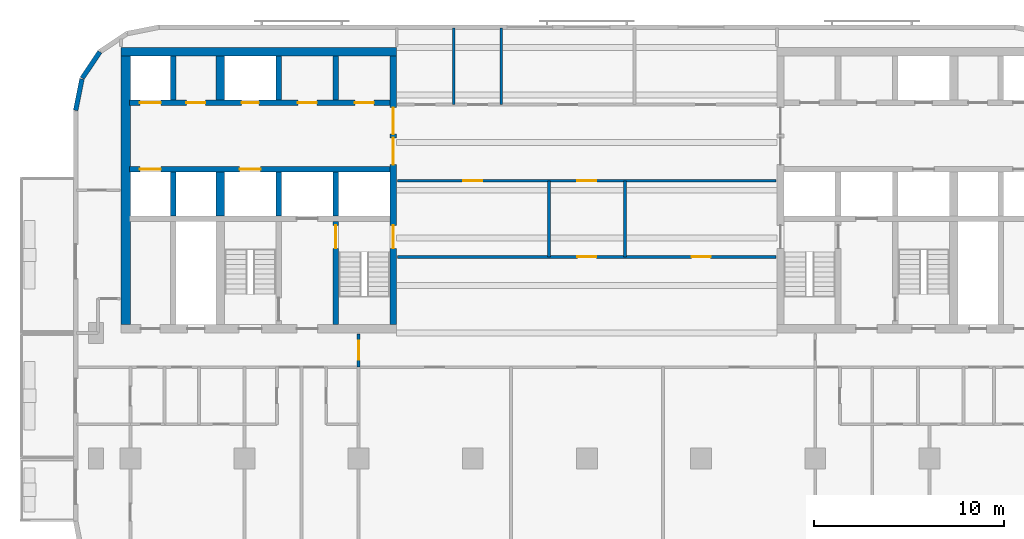
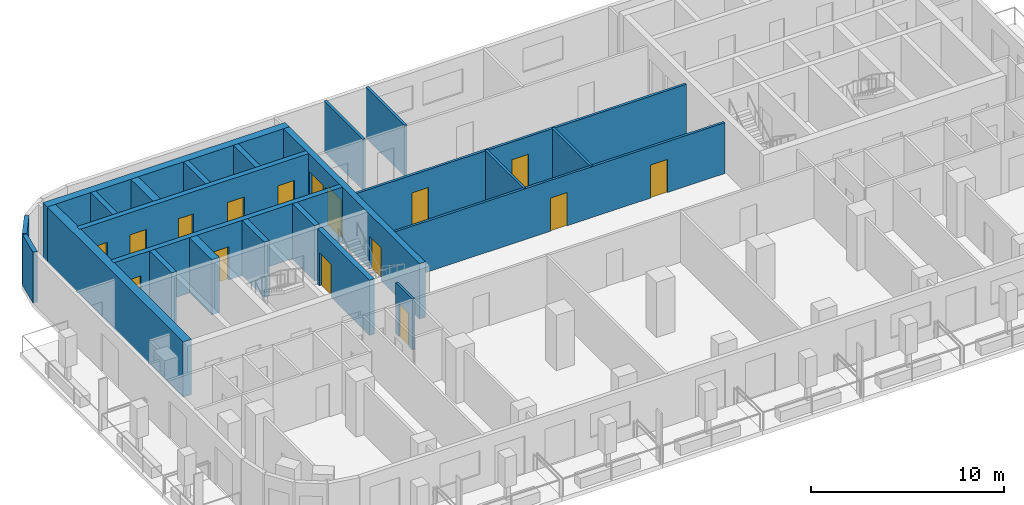
# One storey, part 4 of 11: 23 walls, 16 doors, 16 openings.
"""IFC4 building model written with IfcOpenShell, lengths in metres."""

from ifc_helpers import new_model, si_unit, direction, frame, frame_2d, origin, place, context, subcontext, project, spatial, rectangle, extrude, material, layer, layer_set, type_object, element, fill, save


model = new_model("IFC4")

# Units and contexts
model_context = context("Model", 3, precision=1e-05, world=origin(), true_north=direction((0.0, 1.0)))
body_context = subcontext(model_context, "Body", "Model", "MODEL_VIEW")
ifc_project = project(units=[si_unit("LENGTHUNIT", "METRE"), si_unit("AREAUNIT", "SQUARE_METRE"), si_unit("VOLUMEUNIT", "CUBIC_METRE"), si_unit("PLANEANGLEUNIT", "RADIAN"), si_unit("MASSUNIT", "GRAM", prefix="KILO")], contexts=[model_context])

# Site, building, storey
site_placement = place(None, origin())
site = spatial("IfcSite", under=ifc_project, at=site_placement, CompositionType="ELEMENT")
building_placement = place(site_placement, origin())
building = spatial("IfcBuilding", under=site, at=building_placement, Name="Torana Hotel and Residences", CompositionType="ELEMENT")
storey_placement = place(building_placement, frame((0.0, 0.0, 187.10009765625)))
storey = spatial("IfcBuildingStorey", under=building, at=storey_placement, Name="L48", CompositionType="ELEMENT", Elevation=187.10009765625)

# Wall, openings, doors
ifc_material_1 = material(Name="Concrete C70/85", Category="concrete")
ifc_layer_1 = layer(ifc_material_1, 0.300048828125)
ifc_layer_set_1 = layer_set([ifc_layer_1], Name="CORE WALL 300 C70/85")
wall_type_1 = type_object("IfcWallType", Name="CORE WALL 300 C70/85", PredefinedType="SHEAR", material=ifc_layer_set_1)
wall_1_placement = place(storey_placement, frame((-24.050048828125, -2.89990234375, 0.0), z_axis=(0.0, 0.0, 1.0), x_axis=(1.0, 0.0, 0.0)))
wall_1 = element("IfcWall", 1, at=wall_1_placement, inside=storey, type_object=wall_type_1, Name="Core wall W row-N", PredefinedType="SHEAR", context=body_context, shape_type="SweptSolid", body=[
    extrude(rectangle(XDim=13.699951171875, YDim=0.300048828125, at=frame_2d((6.85009765625, 0.0))), origin(), (0.0, 0.0, 1.0), 3.5),
])
opening_1_placement = place(wall_1_placement, frame((0.550048828125, 0.0, 0.0)))
opening_1 = element("IfcOpeningElement", 2, at=opening_1_placement, cuts=wall_1, Name="Opening LD", PredefinedType="OPENING", context=body_context, shape_type="SweptSolid", body=[
    extrude(rectangle(XDim=1.10009765625, YDim=2.10009765625, at=frame_2d((0.550048828125, 1.050048828125))), frame((0.0, 0.159912109375, 0.0), z_axis=(0.0, -1.0, 0.0), x_axis=(1.0, 0.0, 0.0)), (0.0, 0.0, 1.0), 0.320068359375),
])
opening_2_placement = place(wall_1_placement, frame((5.89990234375, 0.0, 0.0)))
opening_2 = element("IfcOpeningElement", 3, at=opening_2_placement, cuts=wall_1, Name="Opening L48-08", PredefinedType="OPENING", context=body_context, shape_type="SweptSolid", body=[
    extrude(rectangle(XDim=0.89990234375, YDim=2.10009765625, at=frame_2d((0.449951171875, 1.050048828125))), frame((0.0, 0.159912109375, 0.0), z_axis=(0.0, -1.0, 0.0), x_axis=(1.0, 0.0, 0.0)), (0.0, 0.0, 1.0), 0.320068359375),
])
opening_3_placement = place(wall_1_placement, frame((11.85009765625, 0.0, 0.0)))
opening_3 = element("IfcOpeningElement", 4, at=opening_3_placement, cuts=wall_1, Name="Opening L48-09", PredefinedType="OPENING", context=body_context, shape_type="SweptSolid", body=[
    extrude(rectangle(XDim=1.0, YDim=2.10009765625, at=frame_2d((0.5, 1.050048828125))), frame((0.0, 0.159912109375, 0.0), z_axis=(0.0, -1.0, 0.0), x_axis=(1.0, 0.0, 0.0)), (0.0, 0.0, 1.0), 0.320068359375),
])
opening_4_placement = place(wall_1_placement, frame((8.85009765625, 0.0, 0.0)))
opening_4 = element("IfcOpeningElement", 5, at=opening_4_placement, cuts=wall_1, Name="Opening L48-10", PredefinedType="OPENING", context=body_context, shape_type="SweptSolid", body=[
    extrude(rectangle(XDim=1.0, YDim=2.10009765625, at=frame_2d((0.5, 1.050048828125))), frame((0.0, 0.159912109375, 0.0), z_axis=(0.0, -1.0, 0.0), x_axis=(1.0, 0.0, 0.0)), (0.0, 0.0, 1.0), 0.320068359375),
])
opening_5_placement = place(wall_1_placement, frame((3.0, 0.0, 0.0)))
opening_5 = element("IfcOpeningElement", 6, at=opening_5_placement, cuts=wall_1, Name="Opening L48-11", PredefinedType="OPENING", context=body_context, shape_type="SweptSolid", body=[
    extrude(rectangle(XDim=1.0, YDim=2.10009765625, at=frame_2d((0.5, 1.050048828125))), frame((0.0, 0.159912109375, 0.0), z_axis=(0.0, -1.0, 0.0), x_axis=(1.0, 0.0, 0.0)), (0.0, 0.0, 1.0), 0.320068359375),
])
ifc_material_2 = material(Name="Steel S235", Category="steel")
door_type_1 = type_object("IfcDoorType", Name="CORE ROOM FIRE DOOR D14 1000x2100", OperationType="SINGLE_SWING_LEFT", PredefinedType="DOOR", material=ifc_material_2)
door_1_placement = place(opening_3_placement, origin())
door_1 = element("IfcDoor", 7, at=door_1_placement, inside=storey, type_object=door_type_1, Name="N0 door L48", OperationType="SINGLE_SWING_RIGHT", OverallHeight=2.10009765625, OverallWidth=1.0, PredefinedType="DOOR", context=body_context, shape_type="SweptSolid", body=[
    extrude(rectangle(XDim=1.0, YDim=2.10009765625, at=frame_2d((0.5, 1.050048828125))), frame((0.0, 0.02490234375, 0.0), z_axis=(0.0, -1.0, 0.0), x_axis=(1.0, 0.0, 0.0)), (0.0, 0.0, 1.0), 0.050048828125),
])
fill(opening_3, door_1)
door_2_placement = place(opening_4_placement, origin())
door_2 = element("IfcDoor", 8, at=door_2_placement, inside=storey, type_object=door_type_1, Name="N1 door L48", OperationType="SINGLE_SWING_RIGHT", OverallHeight=2.10009765625, OverallWidth=1.0, PredefinedType="DOOR", context=body_context, shape_type="SweptSolid", body=[
    extrude(rectangle(XDim=1.0, YDim=2.10009765625, at=frame_2d((0.5, 1.050048828125))), frame((0.0, 0.02490234375, 0.0), z_axis=(0.0, -1.0, 0.0), x_axis=(1.0, 0.0, 0.0)), (0.0, 0.0, 1.0), 0.050048828125),
])
fill(opening_4, door_2)
door_3_placement = place(opening_5_placement, origin())
door_3 = element("IfcDoor", 9, at=door_3_placement, inside=storey, type_object=door_type_1, Name="Freed-S1 door L48", OperationType="SINGLE_SWING_RIGHT", OverallHeight=2.10009765625, OverallWidth=1.0, PredefinedType="DOOR", context=body_context, shape_type="SweptSolid", body=[
    extrude(rectangle(XDim=1.0, YDim=2.10009765625, at=frame_2d((0.5, 1.050048828125))), frame((0.0, 0.02490234375, 0.0), z_axis=(0.0, -1.0, 0.0), x_axis=(1.0, 0.0, 0.0)), (0.0, 0.0, 1.0), 0.050048828125),
])
fill(opening_5, door_3)
ifc_material_3 = material(Name="Stainless steel 316", Category="steel")
door_type_2 = type_object("IfcDoorType", Name="LIFT LANDING DOOR LD 1100x2100", OperationType="DOUBLE_DOOR_SLIDING", PredefinedType="USERDEFINED", material=ifc_material_3)
door_4_placement = place(opening_1_placement, origin())
door_4 = element("IfcDoor", 10, at=door_4_placement, inside=storey, type_object=door_type_2, Name="Lift landing door M1 L48", ObjectType="LIFT LANDING DOOR", OperationType="DOUBLE_DOOR_SLIDING", OverallHeight=2.10009765625, OverallWidth=1.10009765625, PredefinedType="USERDEFINED", context=body_context, shape_type="SweptSolid", body=[
    extrude(rectangle(XDim=1.10009765625, YDim=2.10009765625, at=frame_2d((0.550048828125, 1.050048828125))), frame((0.0, 0.02490234375, 0.0), z_axis=(0.0, -1.0, 0.0), x_axis=(1.0, 0.0, 0.0)), (0.0, 0.0, 1.0), 0.050048828125),
])
fill(opening_1, door_4)
ifc_material_4 = material(Name="Steel S235", Category="steel")
door_type_3 = type_object("IfcDoorType", Name="RISER ACCESS DOOR D5 900x2100", OperationType="SINGLE_SWING_LEFT", PredefinedType="DOOR", material=ifc_material_4)
door_5_placement = place(opening_2_placement, origin())
door_5 = element("IfcDoor", 11, at=door_5_placement, inside=storey, type_object=door_type_3, Name="N2 door L48", OperationType="SINGLE_SWING_RIGHT", OverallHeight=2.10009765625, OverallWidth=0.89990234375, PredefinedType="DOOR", context=body_context, shape_type="SweptSolid", body=[
    extrude(rectangle(XDim=0.89990234375, YDim=2.10009765625, at=frame_2d((0.449951171875, 1.050048828125))), frame((0.0, 0.02490234375, 0.0), z_axis=(0.0, -1.0, 0.0), x_axis=(1.0, 0.0, 0.0)), (0.0, 0.0, 1.0), 0.050048828125),
])
fill(opening_2, door_5)

wall_2_placement = place(storey_placement, frame((-24.050048828125, -6.39990234375, 0.0), z_axis=(0.0, 0.0, 1.0), x_axis=(1.0, 0.0, 0.0)))
wall_2 = element("IfcWall", 12, at=wall_2_placement, inside=storey, type_object=wall_type_1, Name="Core wall W row-S", PredefinedType="SHEAR", context=body_context, shape_type="SweptSolid", body=[
    extrude(rectangle(XDim=13.699951171875, YDim=0.300048828125, at=frame_2d((6.85009765625, 0.0))), origin(), (0.0, 0.0, 1.0), 3.5),
])
opening_6_placement = place(wall_2_placement, frame((0.550048828125, 0.0, 0.0)))
opening_6 = element("IfcOpeningElement", 13, at=opening_6_placement, cuts=wall_2, Name="Opening LD", PredefinedType="OPENING", context=body_context, shape_type="SweptSolid", body=[
    extrude(rectangle(XDim=1.10009765625, YDim=2.10009765625, at=frame_2d((0.550048828125, 1.050048828125))), frame((0.0, 0.159912109375, 0.0), z_axis=(0.0, -1.0, 0.0), x_axis=(1.0, 0.0, 0.0)), (0.0, 0.0, 1.0), 0.320068359375),
])
opening_7_placement = place(wall_2_placement, frame((5.800048828125, 0.0, 0.0)))
opening_7 = element("IfcOpeningElement", 14, at=opening_7_placement, cuts=wall_2, Name="Opening LD", PredefinedType="OPENING", context=body_context, shape_type="SweptSolid", body=[
    extrude(rectangle(XDim=1.10009765625, YDim=2.10009765625, at=frame_2d((0.550048828125, 1.050048828125))), frame((0.0, 0.159912109375, 0.0), z_axis=(0.0, -1.0, 0.0), x_axis=(1.0, 0.0, 0.0)), (0.0, 0.0, 1.0), 0.320068359375),
])
door_6_placement = place(opening_6_placement, origin())
door_6 = element("IfcDoor", 15, at=door_6_placement, inside=storey, type_object=door_type_2, Name="Lift landing door M2 L48", ObjectType="LIFT LANDING DOOR", OperationType="DOUBLE_DOOR_SLIDING", OverallHeight=2.10009765625, OverallWidth=1.10009765625, PredefinedType="USERDEFINED", context=body_context, shape_type="SweptSolid", body=[
    extrude(rectangle(XDim=1.10009765625, YDim=2.10009765625, at=frame_2d((0.550048828125, 1.050048828125))), frame((0.0, 0.02490234375, 0.0), z_axis=(0.0, -1.0, 0.0), x_axis=(1.0, 0.0, 0.0)), (0.0, 0.0, 1.0), 0.050048828125),
])
fill(opening_6, door_6)
door_7_placement = place(opening_7_placement, origin())
door_7 = element("IfcDoor", 16, at=door_7_placement, inside=storey, type_object=door_type_2, Name="Lift landing door SV1 L48", ObjectType="LIFT LANDING DOOR", OperationType="DOUBLE_DOOR_SLIDING", OverallHeight=2.10009765625, OverallWidth=1.10009765625, PredefinedType="USERDEFINED", context=body_context, shape_type="SweptSolid", body=[
    extrude(rectangle(XDim=1.10009765625, YDim=2.10009765625, at=frame_2d((0.550048828125, 1.050048828125))), frame((0.0, 0.02490234375, 0.0), z_axis=(0.0, -1.0, 0.0), x_axis=(1.0, 0.0, 0.0)), (0.0, 0.0, 1.0), 0.050048828125),
])
fill(opening_7, door_7)

# Walls
for number, where, z_axis, x_axis, name in (
    (17, (-13.199951171875, -2.75, 0.0), (0.0, 0.0, 1.0), (0.0, 1.0, 0.0), "Core wall W x3.05-N"),
    (18, (-13.199951171875, -8.85009765625, 0.0), (0.0, 0.0, 1.0), (0.0, 1.0, 0.0), "Core wall W x3.05-S"),
):
    element("IfcWall", number, at=place(storey_placement, frame(where, z_axis=z_axis, x_axis=x_axis)), inside=storey, type_object=wall_type_1, Name=name, PredefinedType="SHEAR", context=body_context, shape_type="SweptSolid", body=[
        extrude(rectangle(XDim=2.300048828125, YDim=0.300048828125, at=frame_2d((1.14990234375, 0.0))), origin(), (0.0, 0.0, 1.0), 3.5),
    ])

# Wall, opening, door
wall_3_placement = place(storey_placement, frame((-13.199951171875, -14.550048828125, 0.0), z_axis=(0.0, 0.0, 1.0), x_axis=(0.0, 1.0, 0.0)))
wall_3 = element("IfcWall", 19, at=wall_3_placement, inside=storey, type_object=wall_type_1, Name="Core wall W x3.05-band", PredefinedType="SHEAR", context=body_context, shape_type="SweptSolid", body=[
    extrude(rectangle(XDim=5.400146484375, YDim=0.300048828125, at=frame_2d((2.7001953125, 0.0))), origin(), (0.0, 0.0, 1.0), 3.5),
])
opening_8_placement = place(wall_3_placement, frame((4.0, 0.0, 0.0)))
opening_8 = element("IfcOpeningElement", 20, at=opening_8_placement, cuts=wall_3, Name="Opening L48-12", PredefinedType="OPENING", context=body_context, shape_type="SweptSolid", body=[
    extrude(rectangle(XDim=1.199951171875, YDim=2.10009765625, at=frame_2d((0.60009765625, 1.050048828125))), frame((0.0, 0.159912109375, 0.0), z_axis=(0.0, -1.0, 0.0), x_axis=(1.0, 0.0, 0.0)), (0.0, 0.0, 1.0), 0.320068359375),
])
ifc_material_5 = material(Name="Steel S235", Category="steel")
door_type_4 = type_object("IfcDoorType", Name="STAIR FIRE DOOR D3 1200x2100", OperationType="SINGLE_SWING_LEFT", PredefinedType="DOOR", material=ifc_material_5)
door_8_placement = place(opening_8_placement, frame((0.60009765625, 0.0, 0.0), z_axis=(0.0, 0.0, 1.0), x_axis=(-1.0, 0.0, 0.0)))
door_8 = element("IfcDoor", 21, at=door_8_placement, inside=storey, type_object=door_type_4, Name="Stair-A-lobby door L48", OperationType="SINGLE_SWING_RIGHT", OverallHeight=2.10009765625, OverallWidth=1.199951171875, PredefinedType="DOOR", context=body_context, shape_type="SweptSolid", body=[
    extrude(rectangle(XDim=1.199951171875, YDim=2.10009765625, at=frame_2d((0.0, 1.050048828125))), frame((0.0, -0.02490234375, 0.0), z_axis=(0.0, 1.0, 0.0), x_axis=(-1.0, 0.0, 0.0)), (0.0, 0.0, 1.0), 0.050048828125),
])
fill(opening_8, door_8)

# Walls
for number, where, z_axis, x_axis, name in (
    (22, (-16.199951171875, -2.75, 0.0), (0.0, 0.0, 1.0), (0.0, 1.0, 0.0), "Core wall W x6.05-N"),
    (23, (-16.199951171875, -8.85009765625, 0.0), (0.0, 0.0, 1.0), (0.0, 1.0, 0.0), "Core wall W x6.05-S"),
    (24, (-21.75, -2.75, 0.0), (0.0, 0.0, 1.0), (0.0, 1.0, 0.0), "Core wall W mm-N"),
    (25, (-21.75, -8.85009765625, 0.0), (0.0, 0.0, 1.0), (0.0, 1.0, 0.0), "Core wall W mm-S"),
):
    element("IfcWall", number, at=place(storey_placement, frame(where, z_axis=z_axis, x_axis=x_axis)), inside=storey, type_object=wall_type_1, Name=name, PredefinedType="SHEAR", context=body_context, shape_type="SweptSolid", body=[
        extrude(rectangle(XDim=2.300048828125, YDim=0.300048828125, at=frame_2d((1.14990234375, 0.0))), origin(), (0.0, 0.0, 1.0), 3.5),
    ])

# Wall, openings, doors
ifc_material_6 = material(Name="Concrete C70/85", Category="concrete")
ifc_layer_2 = layer(ifc_material_6, 0.35009765625)
ifc_layer_set_2 = layer_set([ifc_layer_2], Name="CORE WALL 350 C70/85")
wall_type_2 = type_object("IfcWallType", Name="CORE WALL 350 C70/85", PredefinedType="SHEAR", material=ifc_layer_set_2)
wall_4_placement = place(storey_placement, frame((-10.175048828125, -14.550048828125, 0.0), z_axis=(0.0, 0.0, 1.0), x_axis=(0.0, 1.0, 0.0)))
wall_4 = element("IfcWall", 26, at=wall_4_placement, inside=storey, type_object=wall_type_2, Name="Core wall W arch", PredefinedType="SHEAR", context=body_context, shape_type="SweptSolid", body=[
    extrude(rectangle(XDim=14.10009765625, YDim=0.35009765625, at=frame_2d((7.050048828125, 0.0))), origin(), (0.0, 0.0, 1.0), 3.5),
])
opening_9_placement = place(wall_4_placement, frame((8.39990234375, 0.0, 0.0)))
opening_9 = element("IfcOpeningElement", 27, at=opening_9_placement, cuts=wall_4, Name="Opening L48-01", PredefinedType="OPENING", context=body_context, shape_type="SweptSolid", body=[
    extrude(rectangle(XDim=1.39990234375, YDim=2.39990234375, at=frame_2d((0.699951171875, 1.199951171875))), frame((0.0, 0.18505859375, 0.0), z_axis=(0.0, -1.0, 0.0), x_axis=(1.0, 0.0, 0.0)), (0.0, 0.0, 1.0), 0.3701171875),
])
opening_10_placement = place(wall_4_placement, frame((10.0, 0.0, 0.0)))
opening_10 = element("IfcOpeningElement", 28, at=opening_10_placement, cuts=wall_4, Name="Opening L48-02", PredefinedType="OPENING", context=body_context, shape_type="SweptSolid", body=[
    extrude(rectangle(XDim=1.39990234375, YDim=2.39990234375, at=frame_2d((0.699951171875, 1.199951171875))), frame((0.0, 0.18505859375, 0.0), z_axis=(0.0, -1.0, 0.0), x_axis=(1.0, 0.0, 0.0)), (0.0, 0.0, 1.0), 0.3701171875),
])
opening_11_placement = place(wall_4_placement, frame((4.0, 0.0, 0.0)))
opening_11 = element("IfcOpeningElement", 29, at=opening_11_placement, cuts=wall_4, Name="Opening L48-03", PredefinedType="OPENING", context=body_context, shape_type="SweptSolid", body=[
    extrude(rectangle(XDim=1.199951171875, YDim=2.10009765625, at=frame_2d((0.60009765625, 1.050048828125))), frame((0.0, 0.18505859375, 0.0), z_axis=(0.0, -1.0, 0.0), x_axis=(1.0, 0.0, 0.0)), (0.0, 0.0, 1.0), 0.3701171875),
])
ifc_material_7 = material(Name="Steel S235", Category="steel")
door_type_5 = type_object("IfcDoorType", Name="LOBBY FIRE DOOR D4 1400x2400", OperationType="DOUBLE_DOOR_SINGLE_SWING", PredefinedType="DOOR", material=ifc_material_7)
door_9_placement = place(opening_9_placement, origin())
door_9 = element("IfcDoor", 30, at=door_9_placement, inside=storey, type_object=door_type_5, Name="Lobby-1 door L48", OperationType="DOUBLE_DOOR_SINGLE_SWING", OverallHeight=2.39990234375, OverallWidth=1.39990234375, PredefinedType="DOOR", context=body_context, shape_type="SweptSolid", body=[
    extrude(rectangle(XDim=1.39990234375, YDim=2.39990234375, at=frame_2d((0.699951171875, 1.199951171875))), frame((0.0, 0.02490234375, 0.0), z_axis=(0.0, -1.0, 0.0), x_axis=(1.0, 0.0, 0.0)), (0.0, 0.0, 1.0), 0.050048828125),
])
fill(opening_9, door_9)
door_10_placement = place(opening_10_placement, origin())
door_10 = element("IfcDoor", 31, at=door_10_placement, inside=storey, type_object=door_type_5, Name="Lobby-2 door L48", OperationType="DOUBLE_DOOR_SINGLE_SWING", OverallHeight=2.39990234375, OverallWidth=1.39990234375, PredefinedType="DOOR", context=body_context, shape_type="SweptSolid", body=[
    extrude(rectangle(XDim=1.39990234375, YDim=2.39990234375, at=frame_2d((0.699951171875, 1.199951171875))), frame((0.0, 0.02490234375, 0.0), z_axis=(0.0, -1.0, 0.0), x_axis=(1.0, 0.0, 0.0)), (0.0, 0.0, 1.0), 0.050048828125),
])
fill(opening_10, door_10)
door_11_placement = place(opening_11_placement, origin())
door_11 = element("IfcDoor", 32, at=door_11_placement, inside=storey, type_object=door_type_4, Name="Stair-A door L48", OperationType="SINGLE_SWING_LEFT", OverallHeight=2.10009765625, OverallWidth=1.199951171875, PredefinedType="DOOR", context=body_context, shape_type="SweptSolid", body=[
    extrude(rectangle(XDim=1.199951171875, YDim=2.10009765625, at=frame_2d((0.60009765625, 1.050048828125))), frame((0.0, 0.02490234375, 0.0), z_axis=(0.0, -1.0, 0.0), x_axis=(1.0, 0.0, 0.0)), (0.0, 0.0, 1.0), 0.050048828125),
])
fill(opening_11, door_11)

# Walls
ifc_material_8 = material(Name="Concrete C70/85", Category="concrete")
ifc_layer_3 = layer(ifc_material_8, 0.449951171875)
ifc_layer_set_3 = layer_set([ifc_layer_3], Name="CORE WALL 450 C70/85")
wall_type_3 = type_object("IfcWallType", Name="CORE WALL 450 C70/85", PredefinedType="SHEAR", material=ifc_layer_set_3)
wall_5_placement = place(storey_placement, frame((-24.5, -0.22509765625, 0.0), z_axis=(0.0, 0.0, 1.0), x_axis=(1.0, 0.0, 0.0)))
element("IfcWall", 33, at=wall_5_placement, inside=storey, type_object=wall_type_3, Name="Core wall W rear", PredefinedType="SHEAR", context=body_context, shape_type="SweptSolid", body=[
    extrude(rectangle(XDim=14.5, YDim=0.449951171875, at=frame_2d((7.25, 0.0))), origin(), (0.0, 0.0, 1.0), 3.5),
])
for number, where, z_axis, x_axis, name in (
    (34, (-19.27490234375, -2.75, 0.0), (0.0, 0.0, 1.0), (0.0, 1.0, 0.0), "Core wall W hm-N"),
    (35, (-19.27490234375, -8.85009765625, 0.0), (0.0, 0.0, 1.0), (0.0, 1.0, 0.0), "Core wall W hm-S"),
):
    element("IfcWall", number, at=place(storey_placement, frame(where, z_axis=z_axis, x_axis=x_axis)), inside=storey, type_object=wall_type_3, Name=name, PredefinedType="SHEAR", context=body_context, shape_type="SweptSolid", body=[
        extrude(rectangle(XDim=2.300048828125, YDim=0.449951171875, at=frame_2d((1.14990234375, 0.0))), origin(), (0.0, 0.0, 1.0), 3.5),
    ])
ifc_material_9 = material(Name="Concrete C70/85", Category="concrete")
ifc_layer_4 = layer(ifc_material_9, 0.5)
ifc_layer_set_4 = layer_set([ifc_layer_4], Name="CORE WALL 500 C70/85")
wall_type_4 = type_object("IfcWallType", Name="CORE WALL 500 C70/85", PredefinedType="SHEAR", material=ifc_layer_set_4)
wall_6_placement = place(storey_placement, frame((-24.25, -14.550048828125, 0.0), z_axis=(0.0, 0.0, 1.0), x_axis=(0.0, 1.0, 0.0)))
element("IfcWall", 36, at=wall_6_placement, inside=storey, type_object=wall_type_4, Name="Core wall W outer", PredefinedType="SHEAR", context=body_context, shape_type="SweptSolid", body=[
    extrude(rectangle(XDim=14.10009765625, YDim=0.5, at=frame_2d((7.050048828125, 0.0))), origin(), (0.0, 0.0, 1.0), 3.5),
])
ifc_material_10 = material(Name="Black aluminium composite panel", Category="aluminium")
ifc_layer_5 = layer(ifc_material_10, 0.00390625, Name="Cladding", Category="cladding")
ifc_material_11 = material(Name="Ventilated air cavity")
ifc_layer_6 = layer(ifc_material_11, 0.0400390625, Name="Ventilated cavity", Category="cavity")
ifc_material_12 = material(Name="Mineral wool insulation")
ifc_layer_7 = layer(ifc_material_12, 0.090087890625, Name="Insulation", Category="insulation")
ifc_material_13 = material(Name="Steel S280GD", Category="steel")
ifc_layer_8 = layer(ifc_material_13, 0.092041015625, Name="Steel stud frame", Category="structure")
ifc_material_14 = material(Name="Fire rated plasterboard")
ifc_layer_9 = layer(ifc_material_14, 0.011962890625, Name="Inner board", Category="finish")
ifc_layer_10 = layer(ifc_material_14, 0.011962890625, Name="Second board", Category="finish")
ifc_layer_set_5 = layer_set([ifc_layer_5, ifc_layer_6, ifc_layer_7, ifc_layer_8, ifc_layer_9, ifc_layer_10], Name="EW1 EXTERNAL WALL BLACK METAL CLAD 250")
wall_type_5 = type_object("IfcWallType", Name="EW1 EXTERNAL WALL BLACK METAL CLAD 250", PredefinedType="SOLIDWALL", material=ifc_layer_set_5)
wall_7_placement = place(storey_placement, frame((-25.605712890625, -0.228759765625, 0.0), z_axis=(0.0, 0.0, 1.0), x_axis=(-0.55555029066, -0.831482937015, 0.0)))
element("IfcWall", 37, at=wall_7_placement, inside=storey, type_object=wall_type_5, Name="External wall L48 e0.7", PredefinedType="SOLIDWALL", context=body_context, shape_type="SweptSolid", body=[
    extrude(rectangle(XDim=1.65625, YDim=0.25, at=frame_2d((0.828125, 0.0))), origin(), (0.0, 0.0, 1.0), 3.219970703125),
])
wall_8_placement = place(storey_placement, frame((-26.544677734375, -1.651123046875, 0.0), z_axis=(0.0, 0.0, 1.0), x_axis=(-0.194999110559, -0.980803419081, 0.0)))
element("IfcWall", 38, at=wall_8_placement, inside=storey, type_object=wall_type_5, Name="External wall L48 e0.8", PredefinedType="SOLIDWALL", context=body_context, shape_type="SweptSolid", body=[
    extrude(rectangle(XDim=1.681396484375, YDim=0.25, at=frame_2d((0.8408203125, 0.0))), origin(), (0.0, 0.0, 1.0), 3.219970703125),
])
ifc_material_15 = material(Name="Gypsum plaster")
ifc_layer_11 = layer(ifc_material_15, 0.014892578125, Name="Plaster", Category="finish")
ifc_material_16 = material(Name="Concrete blockwork", Category="masonry")
ifc_layer_12 = layer(ifc_material_16, 0.1201171875, Name="Blockwork", Category="structure")
ifc_layer_13 = layer(ifc_material_15, 0.014892578125, Name="Plaster", Category="finish")
ifc_layer_set_6 = layer_set([ifc_layer_11, ifc_layer_12, ifc_layer_13], Name="FIRE PARTITION 150 BLOCKWORK")
wall_type_6 = type_object("IfcWallType", Name="FIRE PARTITION 150 BLOCKWORK", PredefinedType="PARTITIONING", material=ifc_layer_set_6)
for number, where, z_axis, x_axis, name in (
    (39, (2.0, -11.0, 0.0), (0.0, 0.0, 1.0), (0.0, 1.0, 0.0), "Partition L48"),
    (40, (-2.0, -11.0, 0.0), (0.0, 0.0, 1.0), (0.0, 1.0, 0.0), "Partition L48"),
):
    element("IfcWall", number, at=place(storey_placement, frame(where, z_axis=z_axis, x_axis=x_axis)), inside=storey, type_object=wall_type_6, Name=name, PredefinedType="PARTITIONING", context=body_context, shape_type="SweptSolid", body=[
        extrude(rectangle(XDim=4.0, YDim=0.14990234375, at=frame_2d((2.0, 0.0))), origin(), (0.0, 0.0, 1.0), 3.219970703125),
    ])

# Wall, opening, door
wall_9_placement = place(storey_placement, frame((-12.0, -16.800048828125, 0.0), z_axis=(0.0, 0.0, 1.0), x_axis=(0.0, 1.0, 0.0)))
wall_9 = element("IfcWall", 41, at=wall_9_placement, inside=storey, type_object=wall_type_6, Name="Partition L48", PredefinedType="PARTITIONING", context=body_context, shape_type="SweptSolid", body=[
    extrude(rectangle(XDim=1.75, YDim=0.14990234375, at=frame_2d((0.875, 0.0))), origin(), (0.0, 0.0, 1.0), 3.219970703125),
])
opening_12_placement = place(wall_9_placement, frame((0.39990234375, 0.0, 0.0)))
opening_12 = element("IfcOpeningElement", 42, at=opening_12_placement, cuts=wall_9, Name="Opening L48-27", PredefinedType="OPENING", context=body_context, shape_type="SweptSolid", body=[
    extrude(rectangle(XDim=1.0, YDim=2.10009765625, at=frame_2d((0.5, 1.050048828125))), frame((0.0, 0.0849609375, 0.0), z_axis=(0.0, -1.0, 0.0), x_axis=(1.0, 0.0, 0.0)), (0.0, 0.0, 1.0), 0.169921875),
])
ifc_material_17 = material(Name="Steel S235", Category="steel")
door_type_6 = type_object("IfcDoorType", Name="ENTRY FIRE DOOR D6 1000x2100", OperationType="SINGLE_SWING_LEFT", PredefinedType="DOOR", material=ifc_material_17)
door_12_placement = place(opening_12_placement, origin())
door_12 = element("IfcDoor", 43, at=door_12_placement, inside=storey, type_object=door_type_6, Name="Door L48", OperationType="SINGLE_SWING_RIGHT", OverallHeight=2.10009765625, OverallWidth=1.0, PredefinedType="DOOR", context=body_context, shape_type="SweptSolid", body=[
    extrude(rectangle(XDim=1.0, YDim=2.10009765625, at=frame_2d((0.5, 1.050048828125))), frame((0.0, 0.02490234375, 0.0), z_axis=(0.0, -1.0, 0.0), x_axis=(1.0, 0.0, 0.0)), (0.0, 0.0, 1.0), 0.050048828125),
])
fill(opening_12, door_12)

# Wall, openings, doors
wall_10_placement = place(storey_placement, frame((-9.949951171875, -11.0, 0.0), z_axis=(0.0, 0.0, 1.0), x_axis=(1.0, 0.0, 0.0)))
wall_10 = element("IfcWall", 44, at=wall_10_placement, inside=storey, type_object=wall_type_6, Name="Partition L48", PredefinedType="PARTITIONING", context=body_context, shape_type="SweptSolid", body=[
    extrude(rectangle(XDim=19.89990234375, YDim=0.14990234375, at=frame_2d((9.949951171875, 0.0))), origin(), (0.0, 0.0, 1.0), 3.219970703125),
])
opening_13_placement = place(wall_10_placement, frame((9.449951171875, 0.0, 0.0)))
opening_13 = element("IfcOpeningElement", 45, at=opening_13_placement, cuts=wall_10, Name="Opening L48-38", PredefinedType="OPENING", context=body_context, shape_type="SweptSolid", body=[
    extrude(rectangle(XDim=1.0, YDim=2.10009765625, at=frame_2d((0.5, 1.050048828125))), frame((0.0, 0.0849609375, 0.0), z_axis=(0.0, -1.0, 0.0), x_axis=(1.0, 0.0, 0.0)), (0.0, 0.0, 1.0), 0.169921875),
])
opening_14_placement = place(wall_10_placement, frame((15.449951171875, 0.0, 0.0)))
opening_14 = element("IfcOpeningElement", 46, at=opening_14_placement, cuts=wall_10, Name="Opening L48-42", PredefinedType="OPENING", context=body_context, shape_type="SweptSolid", body=[
    extrude(rectangle(XDim=1.0, YDim=2.10009765625, at=frame_2d((0.5, 1.050048828125))), frame((0.0, 0.0849609375, 0.0), z_axis=(0.0, -1.0, 0.0), x_axis=(1.0, 0.0, 0.0)), (0.0, 0.0, 1.0), 0.169921875),
])
door_13_placement = place(opening_13_placement, origin())
door_13 = element("IfcDoor", 47, at=door_13_placement, inside=storey, type_object=door_type_6, Name="Door L48", OperationType="SINGLE_SWING_RIGHT", OverallHeight=2.10009765625, OverallWidth=1.0, PredefinedType="DOOR", context=body_context, shape_type="SweptSolid", body=[
    extrude(rectangle(XDim=1.0, YDim=2.10009765625, at=frame_2d((0.5, 1.050048828125))), frame((0.0, 0.02490234375, 0.0), z_axis=(0.0, -1.0, 0.0), x_axis=(1.0, 0.0, 0.0)), (0.0, 0.0, 1.0), 0.050048828125),
])
fill(opening_13, door_13)
door_14_placement = place(opening_14_placement, origin())
door_14 = element("IfcDoor", 48, at=door_14_placement, inside=storey, type_object=door_type_6, Name="Door L48", OperationType="SINGLE_SWING_RIGHT", OverallHeight=2.10009765625, OverallWidth=1.0, PredefinedType="DOOR", context=body_context, shape_type="SweptSolid", body=[
    extrude(rectangle(XDim=1.0, YDim=2.10009765625, at=frame_2d((0.5, 1.050048828125))), frame((0.0, 0.02490234375, 0.0), z_axis=(0.0, -1.0, 0.0), x_axis=(1.0, 0.0, 0.0)), (0.0, 0.0, 1.0), 0.050048828125),
])
fill(opening_14, door_14)

wall_11_placement = place(storey_placement, frame((-9.949951171875, -7.0, 0.0), z_axis=(0.0, 0.0, 1.0), x_axis=(1.0, 0.0, 0.0)))
wall_11 = element("IfcWall", 49, at=wall_11_placement, inside=storey, type_object=wall_type_6, Name="Partition L48", PredefinedType="PARTITIONING", context=body_context, shape_type="SweptSolid", body=[
    extrude(rectangle(XDim=19.89990234375, YDim=0.14990234375, at=frame_2d((9.949951171875, 0.0))), origin(), (0.0, 0.0, 1.0), 3.219970703125),
])
opening_15_placement = place(wall_11_placement, frame((9.449951171875, 0.0, 0.0)))
opening_15 = element("IfcOpeningElement", 50, at=opening_15_placement, cuts=wall_11, Name="Opening L48-43", PredefinedType="OPENING", context=body_context, shape_type="SweptSolid", body=[
    extrude(rectangle(XDim=1.0, YDim=2.10009765625, at=frame_2d((0.5, 1.050048828125))), frame((0.0, 0.0849609375, 0.0), z_axis=(0.0, -1.0, 0.0), x_axis=(1.0, 0.0, 0.0)), (0.0, 0.0, 1.0), 0.169921875),
])
opening_16_placement = place(wall_11_placement, frame((3.449951171875, 0.0, 0.0)))
opening_16 = element("IfcOpeningElement", 51, at=opening_16_placement, cuts=wall_11, Name="Opening L48-44", PredefinedType="OPENING", context=body_context, shape_type="SweptSolid", body=[
    extrude(rectangle(XDim=1.0, YDim=2.10009765625, at=frame_2d((0.5, 1.050048828125))), frame((0.0, 0.0849609375, 0.0), z_axis=(0.0, -1.0, 0.0), x_axis=(1.0, 0.0, 0.0)), (0.0, 0.0, 1.0), 0.169921875),
])
door_15_placement = place(opening_15_placement, origin())
door_15 = element("IfcDoor", 52, at=door_15_placement, inside=storey, type_object=door_type_6, Name="Door L48", OperationType="SINGLE_SWING_RIGHT", OverallHeight=2.10009765625, OverallWidth=1.0, PredefinedType="DOOR", context=body_context, shape_type="SweptSolid", body=[
    extrude(rectangle(XDim=1.0, YDim=2.10009765625, at=frame_2d((0.5, 1.050048828125))), frame((0.0, 0.02490234375, 0.0), z_axis=(0.0, -1.0, 0.0), x_axis=(1.0, 0.0, 0.0)), (0.0, 0.0, 1.0), 0.050048828125),
])
fill(opening_15, door_15)
door_16_placement = place(opening_16_placement, frame((0.5, 0.0, 0.0), z_axis=(0.0, 0.0, 1.0), x_axis=(-1.0, 0.0, 0.0)))
door_16 = element("IfcDoor", 53, at=door_16_placement, inside=storey, type_object=door_type_6, Name="Door L48", OperationType="SINGLE_SWING_LEFT", OverallHeight=2.10009765625, OverallWidth=1.0, PredefinedType="DOOR", context=body_context, shape_type="SweptSolid", body=[
    extrude(rectangle(XDim=1.0, YDim=2.10009765625, at=frame_2d((0.0, 1.050048828125))), frame((0.0, -0.02490234375, 0.0), z_axis=(0.0, 1.0, 0.0), x_axis=(-1.0, 0.0, 0.0)), (0.0, 0.0, 1.0), 0.050048828125),
])
fill(opening_16, door_16)

# Walls
ifc_material_18 = material(Name="Ceramic tile on adhesive")
ifc_layer_14 = layer(ifc_material_18, 0.010009765625, Name="Wall tile", Category="finish")
ifc_material_19 = material(Name="Cement render")
ifc_layer_15 = layer(ifc_material_19, 0.010009765625, Name="Render", Category="finish")
ifc_layer_16 = layer(ifc_material_16, 0.110107421875, Name="Blockwork", Category="structure")
ifc_layer_17 = layer(ifc_material_19, 0.010009765625, Name="Render", Category="finish")
ifc_layer_18 = layer(ifc_material_18, 0.010009765625, Name="Wall tile", Category="finish")
ifc_layer_set_7 = layer_set([ifc_layer_14, ifc_layer_15, ifc_layer_16, ifc_layer_17, ifc_layer_18], Name="WC PARTITION 150")
wall_type_7 = type_object("IfcWallType", Name="WC PARTITION 150", PredefinedType="PLUMBINGWALL", material=ifc_layer_set_7)
for number, where, z_axis, x_axis, name in (
    (54, (-4.5, -3.0, 0.0), (0.0, 0.0, 1.0), (0.0, 1.0, 0.0), "Partition L48"),
    (55, (-7.0, -3.0, 0.0), (0.0, 0.0, 1.0), (0.0, 1.0, 0.0), "Partition L48"),
):
    element("IfcWall", number, at=place(storey_placement, frame(where, z_axis=z_axis, x_axis=x_axis)), inside=storey, type_object=wall_type_7, Name=name, PredefinedType="PLUMBINGWALL", context=body_context, shape_type="SweptSolid", body=[
        extrude(rectangle(XDim=4.02001953125, YDim=0.14990234375, at=frame_2d((2.010009765625, 0.0))), origin(), (0.0, 0.0, 1.0), 3.219970703125),
    ])

save(model, "model.ifc")
